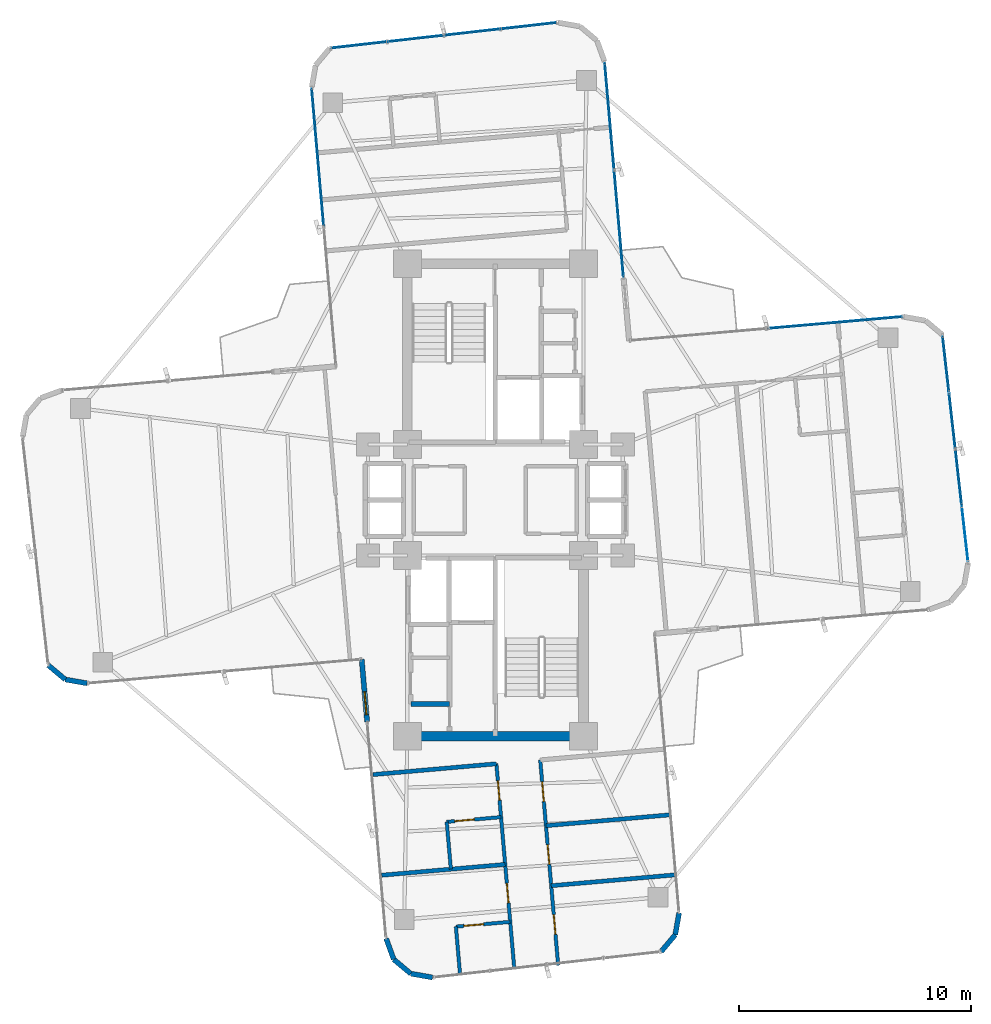
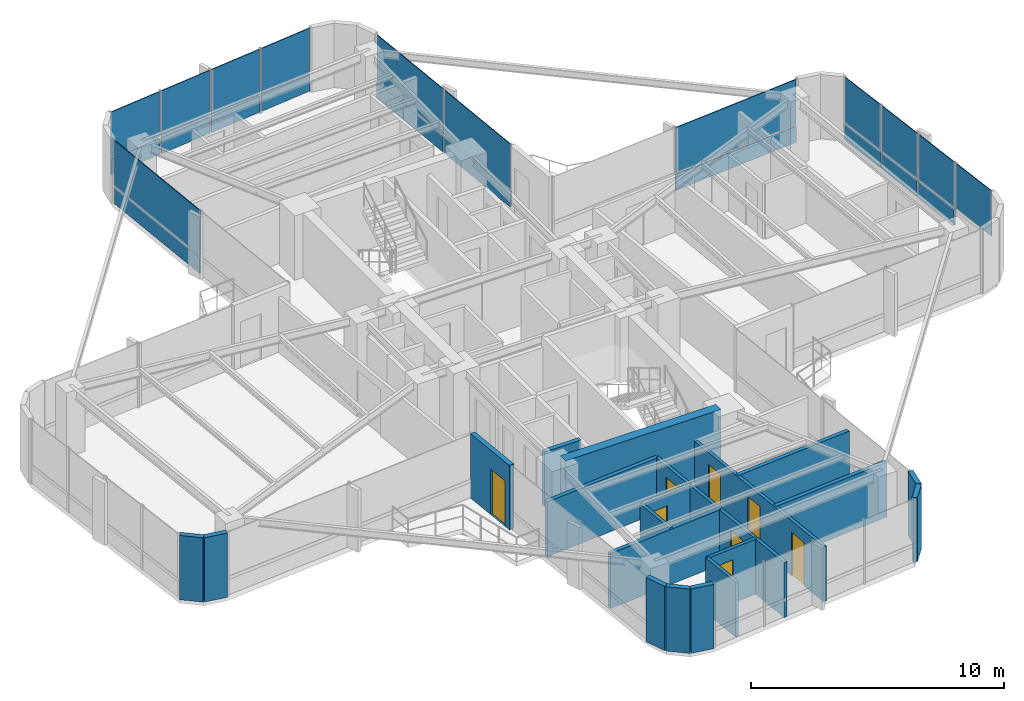
# One storey, part 20 of 24: 23 plates, 20 walls, 8 doors, 8 openings, 5 elements without a shape of their own.
"""IFC4 building model written with IfcOpenShell, lengths in metres."""

from ifc_helpers import new_model, si_unit, direction, frame, frame_2d, origin, origin_2d, place, context, subcontext, project, spatial, rectangle, extrude, source, transform, mapped, material, layer, layer_set, type_object, element, fill, aggregate, save


model = new_model("IFC4")

# Units and contexts
model_context = context("Model", 3, precision=1e-05, world=origin(), true_north=direction((0.0, 1.0)))
body_context = subcontext(model_context, "Body", "Model", "MODEL_VIEW")
ifc_project = project(units=[si_unit("LENGTHUNIT", "METRE"), si_unit("AREAUNIT", "SQUARE_METRE"), si_unit("VOLUMEUNIT", "CUBIC_METRE"), si_unit("PLANEANGLEUNIT", "RADIAN"), si_unit("MASSUNIT", "GRAM", prefix="KILO")], contexts=[model_context])

# Site, building, storey
site_placement = place(None, origin())
site = spatial("IfcSite", under=ifc_project, at=site_placement, CompositionType="ELEMENT")
building_placement = place(site_placement, origin())
building = spatial("IfcBuilding", under=site, at=building_placement, Name="Sahyath Konkavel Grand Hotel", CompositionType="ELEMENT")
storey_placement = place(building_placement, frame((0.0, 0.0, 150.60009765625)))
storey = spatial("IfcBuildingStorey", under=building, at=storey_placement, Name="L41", CompositionType="ELEMENT", Elevation=150.60009765625)

# Curtain wall, plates
ifc_material_1 = material(Name="Anodised Bronze Aluminium & Low-E Glazing", Category="aluminium")
curtain_wall_type = type_object("IfcCurtainWallType", Name="CW-ZONE3", PredefinedType="NOTDEFINED", material=ifc_material_1)
curtain_wall_1_placement = place(storey_placement, origin())
curtain_wall_1 = element("IfcCurtainWall", 1, at=curtain_wall_1_placement, inside=storey, type_object=curtain_wall_type, Name="L41 Unitised Curtain Wall F4", PredefinedType="NOTDEFINED")
ifc_material_2 = material(Name="Warm Buff Sandstone Cladding", Category="masonry")
ifc_layer_1 = layer(ifc_material_2, 0.074951171875)
ifc_layer_set_1 = layer_set([ifc_layer_1], Name="Warm Buff Sandstone Cladding")
plate_type_1 = type_object("IfcPlateType", Name="PNL-SPANDREL-STONE", PredefinedType="SHEET", material=ifc_layer_set_1)
shared_shape_1 = source(origin(), body_context, "Body", "SweptSolid", [
    extrude(rectangle(XDim=2.382080078125, YDim=0.074951171875, at=origin_2d()), origin(), (0.0, 0.0, 1.0), 0.77001953125),
])
plate_1_placement = place(storey_placement, frame((19.99755859375, 0.978515625, 0.039794921875), z_axis=(0.0, 0.0, 1.0), x_axis=(-0.111989252568, 0.993709417943, 0.0)))
plate_1 = element("IfcPlate", 2, at=plate_1_placement, type_object=plate_type_1, Name="L41 Sandstone Relief Spandrel Panel F4-1", PredefinedType="SHEET", context=body_context, shape_type="MappedRepresentation", body=[
    mapped(shared_shape_1, transform((0.0, 0.0, 0.0), scale=1.0)),
])
plate_2_placement = place(storey_placement, frame((19.7216796875, 3.425048828125, 0.039794921875), z_axis=(0.0, 0.0, 1.0), x_axis=(-0.111989252568, 0.993709417943, 0.0)))
plate_2 = element("IfcPlate", 3, at=plate_2_placement, type_object=plate_type_1, Name="L41 Sandstone Relief Spandrel Panel F4-2", PredefinedType="SHEET", context=body_context, shape_type="MappedRepresentation", body=[
    mapped(shared_shape_1, transform((0.0, 0.0, 0.0), scale=1.0)),
])
plate_3_placement = place(storey_placement, frame((19.446044921875, 5.87158203125, 0.039794921875), z_axis=(0.0, 0.0, 1.0), x_axis=(-0.111989252568, 0.993709417943, 0.0)))
plate_3 = element("IfcPlate", 4, at=plate_3_placement, type_object=plate_type_1, Name="L41 Sandstone Relief Spandrel Panel F4-3", PredefinedType="SHEET", context=body_context, shape_type="MappedRepresentation", body=[
    mapped(shared_shape_1, transform((0.0, 0.0, 0.0), scale=1.0)),
])

curtain_wall_2_placement = place(storey_placement, origin())
curtain_wall_2 = element("IfcCurtainWall", 5, at=curtain_wall_2_placement, inside=storey, type_object=curtain_wall_type, Name="L41 Unitised Curtain Wall F12", PredefinedType="NOTDEFINED")
plate_4_placement = place(storey_placement, frame((1.45068359375, 20.47265625, 0.039794921875), z_axis=(0.0, 0.0, 1.0), x_axis=(-0.993707463211, -0.112006596052, 0.0)))
plate_4 = element("IfcPlate", 6, at=plate_4_placement, type_object=plate_type_1, Name="L41 Sandstone Relief Spandrel Panel F12-0", PredefinedType="SHEET", context=body_context, shape_type="MappedRepresentation", body=[
    mapped(shared_shape_1, transform((0.0, 0.0, 0.0), scale=1.0)),
])
plate_5_placement = place(storey_placement, frame((-0.995849609375, 20.197021484375, 0.039794921875), z_axis=(0.0, 0.0, 1.0), x_axis=(-0.993707463211, -0.112006596052, 0.0)))
plate_5 = element("IfcPlate", 7, at=plate_5_placement, type_object=plate_type_1, Name="L41 Sandstone Relief Spandrel Panel F12-1", PredefinedType="SHEET", context=body_context, shape_type="MappedRepresentation", body=[
    mapped(shared_shape_1, transform((0.0, 0.0, 0.0), scale=1.0)),
])
plate_6_placement = place(storey_placement, frame((-3.4423828125, 19.921142578125, 0.039794921875), z_axis=(0.0, 0.0, 1.0), x_axis=(-0.993707463211, -0.112006596052, 0.0)))
plate_6 = element("IfcPlate", 8, at=plate_6_placement, type_object=plate_type_1, Name="L41 Sandstone Relief Spandrel Panel F12-2", PredefinedType="SHEET", context=body_context, shape_type="MappedRepresentation", body=[
    mapped(shared_shape_1, transform((0.0, 0.0, 0.0), scale=1.0)),
])
plate_7_placement = place(storey_placement, frame((-5.888916015625, 19.6455078125, 0.039794921875), z_axis=(0.0, 0.0, 1.0), x_axis=(-0.993707463211, -0.112006596052, 0.0)))
plate_7 = element("IfcPlate", 9, at=plate_7_placement, type_object=plate_type_1, Name="L41 Sandstone Relief Spandrel Panel F12-3", PredefinedType="SHEET", context=body_context, shape_type="MappedRepresentation", body=[
    mapped(shared_shape_1, transform((0.0, 0.0, 0.0), scale=1.0)),
])

# Curtain wall, plate
curtain_wall_3_placement = place(storey_placement, origin())
curtain_wall_3 = element("IfcCurtainWall", 10, at=curtain_wall_3_placement, inside=storey, type_object=curtain_wall_type, Name="L41 Unitised Curtain Wall F7", PredefinedType="NOTDEFINED")
shared_shape_2 = source(origin(), body_context, "Body", "SweptSolid", [
    extrude(rectangle(XDim=5.830078125, YDim=0.074951171875, at=origin_2d()), origin(), (0.0, 0.0, 1.0), 0.77001953125),
])
plate_8_placement = place(storey_placement, frame((14.6435546875, 7.655517578125, 0.039794921875), z_axis=(0.0, 0.0, 1.0), x_axis=(-0.996194698092, -0.087155742748, 0.0)))
plate_8 = element("IfcPlate", 11, at=plate_8_placement, type_object=plate_type_1, Name="L41 Sandstone Relief Spandrel Panel F7-0", PredefinedType="SHEET", context=body_context, shape_type="MappedRepresentation", body=[
    mapped(shared_shape_2, transform((0.0, 0.0, 0.0), scale=1.0)),
])

# Curtain wall, plates
curtain_wall_4_placement = place(storey_placement, origin())
curtain_wall_4 = element("IfcCurtainWall", 12, at=curtain_wall_4_placement, inside=storey, type_object=curtain_wall_type, Name="L41 Unitised Curtain Wall F8", PredefinedType="NOTDEFINED")
shared_shape_3 = source(origin(), body_context, "Body", "SweptSolid", [
    extrude(rectangle(XDim=4.580078125, YDim=0.074951171875, at=origin_2d()), origin(), (0.0, 0.0, 1.0), 0.77001953125),
])
plate_9_placement = place(storey_placement, frame((5.33056640625, 11.929931640625, 0.039794921875), z_axis=(0.0, 0.0, 1.0), x_axis=(-0.087155742748, 0.996194698092, 0.0)))
plate_9 = element("IfcPlate", 13, at=plate_9_placement, type_object=plate_type_1, Name="L41 Sandstone Relief Spandrel Panel F8-0", PredefinedType="SHEET", context=body_context, shape_type="MappedRepresentation", body=[
    mapped(shared_shape_3, transform((0.0, 0.0, 0.0), scale=1.0)),
])
plate_10_placement = place(storey_placement, frame((4.92431640625, 16.572265625, 0.039794921875), z_axis=(0.0, 0.0, 1.0), x_axis=(-0.087155742748, 0.996194698092, 0.0)))
plate_10 = element("IfcPlate", 14, at=plate_10_placement, type_object=plate_type_1, Name="L41 Sandstone Relief Spandrel Panel F8-1", PredefinedType="SHEET", context=body_context, shape_type="MappedRepresentation", body=[
    mapped(shared_shape_3, transform((0.0, 0.0, 0.0), scale=1.0)),
])

# Curtain wall, plate
curtain_wall_5_placement = place(storey_placement, origin())
curtain_wall_5 = element("IfcCurtainWall", 15, at=curtain_wall_5_placement, inside=storey, type_object=curtain_wall_type, Name="L41 Unitised Curtain Wall F15", PredefinedType="NOTDEFINED")
shared_shape_4 = source(origin(), body_context, "Body", "SweptSolid", [
    extrude(rectangle(XDim=5.929931640625, YDim=0.074951171875, at=origin_2d()), origin(), (0.0, 0.0, 1.0), 0.77001953125),
])
plate_11_placement = place(storey_placement, frame((-7.66845703125, 14.79296875, 0.039794921875), z_axis=(0.0, 0.0, 1.0), x_axis=(0.087155742748, -0.996194698092, 0.0)))
plate_11 = element("IfcPlate", 16, at=plate_11_placement, type_object=plate_type_1, Name="L41 Sandstone Relief Spandrel Panel F15-0", PredefinedType="SHEET", context=body_context, shape_type="MappedRepresentation", body=[
    mapped(shared_shape_4, transform((0.0, 0.0, 0.0), scale=1.0)),
])

# Plate
ifc_material_3 = material(Name="Low-E Solar Control Double Glazing", Category="glass")
ifc_layer_2 = layer(ifc_material_3, 0.035888671875)
ifc_layer_set_2 = layer_set([ifc_layer_2], Name="Low-E Solar Control Double Glazing")
plate_type_2 = type_object("IfcPlateType", Name="PNL-VISION-LOWE", PredefinedType="CURTAIN_PANEL", material=ifc_layer_set_2)
shared_shape_5 = source(origin(), body_context, "Body", "SweptSolid", [
    extrude(rectangle(XDim=2.382080078125, YDim=0.035888671875, at=origin_2d()), origin(), (0.0, 0.0, 1.0), 2.179931640625),
])
plate_12_placement = place(storey_placement, frame((20.2734375, -1.468017578125, 0.89013671875), z_axis=(0.0, 0.0, 1.0), x_axis=(-0.111989252568, 0.993709417943, 0.0)))
plate_12 = element("IfcPlate", 17, at=plate_12_placement, type_object=plate_type_2, Name="L41 Low-E Vision Glazing Panel F4-0", PredefinedType="CURTAIN_PANEL", context=body_context, shape_type="MappedRepresentation", body=[
    mapped(shared_shape_5, transform((0.0, 0.0, 0.0), scale=1.0)),
])

plate_13_placement = place(storey_placement, frame((19.99755859375, 0.978515625, 0.89013671875), z_axis=(0.0, 0.0, 1.0), x_axis=(-0.111989252568, 0.993709417943, 0.0)))
plate_13 = element("IfcPlate", 18, at=plate_13_placement, type_object=plate_type_2, Name="L41 Low-E Vision Glazing Panel F4-1", PredefinedType="CURTAIN_PANEL", context=body_context, shape_type="MappedRepresentation", body=[
    mapped(shared_shape_5, transform((0.0, 0.0, 0.0), scale=1.0)),
])

plate_14_placement = place(storey_placement, frame((19.7216796875, 3.425048828125, 0.89013671875), z_axis=(0.0, 0.0, 1.0), x_axis=(-0.111989252568, 0.993709417943, 0.0)))
plate_14 = element("IfcPlate", 19, at=plate_14_placement, type_object=plate_type_2, Name="L41 Low-E Vision Glazing Panel F4-2", PredefinedType="CURTAIN_PANEL", context=body_context, shape_type="MappedRepresentation", body=[
    mapped(shared_shape_5, transform((0.0, 0.0, 0.0), scale=1.0)),
])

plate_15_placement = place(storey_placement, frame((19.446044921875, 5.87158203125, 0.89013671875), z_axis=(0.0, 0.0, 1.0), x_axis=(-0.111989252568, 0.993709417943, 0.0)))
plate_15 = element("IfcPlate", 20, at=plate_15_placement, type_object=plate_type_2, Name="L41 Low-E Vision Glazing Panel F4-3", PredefinedType="CURTAIN_PANEL", context=body_context, shape_type="MappedRepresentation", body=[
    mapped(shared_shape_5, transform((0.0, 0.0, 0.0), scale=1.0)),
])

aggregate(curtain_wall_1, [plate_12, plate_1, plate_13, plate_2, plate_14, plate_3, plate_15])

plate_16_placement = place(storey_placement, frame((1.45068359375, 20.47265625, 0.89013671875), z_axis=(0.0, 0.0, 1.0), x_axis=(-0.993707463211, -0.112006596052, 0.0)))
plate_16 = element("IfcPlate", 21, at=plate_16_placement, type_object=plate_type_2, Name="L41 Low-E Vision Glazing Panel F12-0", PredefinedType="CURTAIN_PANEL", context=body_context, shape_type="MappedRepresentation", body=[
    mapped(shared_shape_5, transform((0.0, 0.0, 0.0), scale=1.0)),
])

plate_17_placement = place(storey_placement, frame((-0.995849609375, 20.197021484375, 0.89013671875), z_axis=(0.0, 0.0, 1.0), x_axis=(-0.993707463211, -0.112006596052, 0.0)))
plate_17 = element("IfcPlate", 22, at=plate_17_placement, type_object=plate_type_2, Name="L41 Low-E Vision Glazing Panel F12-1", PredefinedType="CURTAIN_PANEL", context=body_context, shape_type="MappedRepresentation", body=[
    mapped(shared_shape_5, transform((0.0, 0.0, 0.0), scale=1.0)),
])

plate_18_placement = place(storey_placement, frame((-3.4423828125, 19.921142578125, 0.89013671875), z_axis=(0.0, 0.0, 1.0), x_axis=(-0.993707463211, -0.112006596052, 0.0)))
plate_18 = element("IfcPlate", 23, at=plate_18_placement, type_object=plate_type_2, Name="L41 Low-E Vision Glazing Panel F12-2", PredefinedType="CURTAIN_PANEL", context=body_context, shape_type="MappedRepresentation", body=[
    mapped(shared_shape_5, transform((0.0, 0.0, 0.0), scale=1.0)),
])

plate_19_placement = place(storey_placement, frame((-5.888916015625, 19.6455078125, 0.89013671875), z_axis=(0.0, 0.0, 1.0), x_axis=(-0.993707463211, -0.112006596052, 0.0)))
plate_19 = element("IfcPlate", 24, at=plate_19_placement, type_object=plate_type_2, Name="L41 Low-E Vision Glazing Panel F12-3", PredefinedType="CURTAIN_PANEL", context=body_context, shape_type="MappedRepresentation", body=[
    mapped(shared_shape_5, transform((0.0, 0.0, 0.0), scale=1.0)),
])

aggregate(curtain_wall_2, [plate_4, plate_16, plate_5, plate_17, plate_6, plate_18, plate_7, plate_19])

shared_shape_6 = source(origin(), body_context, "Body", "SweptSolid", [
    extrude(rectangle(XDim=5.830078125, YDim=0.035888671875, at=origin_2d()), origin(), (0.0, 0.0, 1.0), 2.179931640625),
])
plate_20_placement = place(storey_placement, frame((14.6435546875, 7.655517578125, 0.89013671875), z_axis=(0.0, 0.0, 1.0), x_axis=(-0.996194698092, -0.087155742748, 0.0)))
plate_20 = element("IfcPlate", 25, at=plate_20_placement, type_object=plate_type_2, Name="L41 Low-E Vision Glazing Panel F7-0", PredefinedType="CURTAIN_PANEL", context=body_context, shape_type="MappedRepresentation", body=[
    mapped(shared_shape_6, transform((0.0, 0.0, 0.0), scale=1.0)),
])

aggregate(curtain_wall_3, [plate_8, plate_20])

shared_shape_7 = source(origin(), body_context, "Body", "SweptSolid", [
    extrude(rectangle(XDim=4.580078125, YDim=0.035888671875, at=origin_2d()), origin(), (0.0, 0.0, 1.0), 2.179931640625),
])
plate_21_placement = place(storey_placement, frame((5.33056640625, 11.929931640625, 0.89013671875), z_axis=(0.0, 0.0, 1.0), x_axis=(-0.087155742748, 0.996194698092, 0.0)))
plate_21 = element("IfcPlate", 26, at=plate_21_placement, type_object=plate_type_2, Name="L41 Low-E Vision Glazing Panel F8-0", PredefinedType="CURTAIN_PANEL", context=body_context, shape_type="MappedRepresentation", body=[
    mapped(shared_shape_7, transform((0.0, 0.0, 0.0), scale=1.0)),
])

plate_22_placement = place(storey_placement, frame((4.92431640625, 16.572265625, 0.89013671875), z_axis=(0.0, 0.0, 1.0), x_axis=(-0.087155742748, 0.996194698092, 0.0)))
plate_22 = element("IfcPlate", 27, at=plate_22_placement, type_object=plate_type_2, Name="L41 Low-E Vision Glazing Panel F8-1", PredefinedType="CURTAIN_PANEL", context=body_context, shape_type="MappedRepresentation", body=[
    mapped(shared_shape_7, transform((0.0, 0.0, 0.0), scale=1.0)),
])

aggregate(curtain_wall_4, [plate_9, plate_21, plate_10, plate_22])

shared_shape_8 = source(origin(), body_context, "Body", "SweptSolid", [
    extrude(rectangle(XDim=5.929931640625, YDim=0.035888671875, at=origin_2d()), origin(), (0.0, 0.0, 1.0), 2.179931640625),
])
plate_23_placement = place(storey_placement, frame((-7.66845703125, 14.79296875, 0.89013671875), z_axis=(0.0, 0.0, 1.0), x_axis=(0.087155742748, -0.996194698092, 0.0)))
plate_23 = element("IfcPlate", 28, at=plate_23_placement, type_object=plate_type_2, Name="L41 Low-E Vision Glazing Panel F15-0", PredefinedType="CURTAIN_PANEL", context=body_context, shape_type="MappedRepresentation", body=[
    mapped(shared_shape_8, transform((0.0, 0.0, 0.0), scale=1.0)),
])

aggregate(curtain_wall_5, [plate_11, plate_23])

# Walls
ifc_material_4 = material(Name="Concrete C50/60", Category="concrete")
ifc_layer_3 = layer(ifc_material_4, 0.419921875)
ifc_layer_set_3 = layer_set([ifc_layer_3], Name="Concrete C50/60")
wall_type_1 = type_object("IfcWallType", Name="CWALL-420", PredefinedType="SHEAR", material=ifc_layer_set_3)
wall_1_placement = place(storey_placement, frame((-3.550048828125, -10.199951171875, 0.0), z_axis=(0.0, 0.0, 1.0), x_axis=(1.0, 0.0, 0.0)))
element("IfcWall", 29, at=wall_1_placement, inside=storey, type_object=wall_type_1, Name="L41 South Core Shear Wall S", PredefinedType="SHEAR", context=body_context, shape_type="SweptSolid", body=[
    extrude(rectangle(XDim=7.10009765625, YDim=0.419921875, at=frame_2d((3.550048828125, 0.0))), origin(), (0.0, 0.0, 1.0), 3.10986328125),
])
ifc_material_5 = material(Name="Warm Buff Sandstone Insulated Concrete C40/50", Category="masonry")
ifc_layer_4 = layer(ifc_material_5, 0.219970703125)
ifc_layer_set_4 = layer_set([ifc_layer_4], Name="Warm Buff Sandstone Insulated Concrete C40/50")
wall_type_2 = type_object("IfcWallType", Name="WLL-BALC-THRESH", PredefinedType="STANDARD", material=ifc_layer_set_4)
wall_2_placement = place(storey_placement, frame((-19.3037109375, -7.134521484375, 0.0), z_axis=(0.0, 0.0, 1.0), x_axis=(0.766001159887, -0.642839189107, 0.0)))
element("IfcWall", 30, at=wall_2_placement, inside=storey, type_object=wall_type_2, Name="L41 Rounded Corner Sandstone Pier 21", PredefinedType="STANDARD", context=body_context, shape_type="SweptSolid", body=[
    extrude(rectangle(XDim=0.95751953125, YDim=0.219970703125, at=frame_2d((0.478759765625, 0.0))), origin(), (0.0, 0.0, 1.0), 3.10986328125),
])
wall_3_placement = place(storey_placement, frame((-18.5703125, -7.75, 0.0), z_axis=(0.0, 0.0, 1.0), x_axis=(0.984770724397, -0.173858046606, 0.0)))
element("IfcWall", 31, at=wall_3_placement, inside=storey, type_object=wall_type_2, Name="L41 Rounded Corner Sandstone Pier 22", PredefinedType="STANDARD", context=body_context, shape_type="SweptSolid", body=[
    extrude(rectangle(XDim=0.957763671875, YDim=0.219970703125, at=frame_2d((0.47900390625, 0.0))), origin(), (0.0, 0.0, 1.0), 3.10986328125),
])

# Wall, opening, door
wall_4_placement = place(storey_placement, frame((-5.7724609375, -6.87939453125, 0.0), z_axis=(0.0, 0.0, 1.0), x_axis=(0.087168071984, -0.996193619346, 0.0)))
wall_4 = element("IfcWall", 32, at=wall_4_placement, inside=storey, type_object=wall_type_2, Name="L41 Winter-Garden Threshold Wall 24", PredefinedType="STANDARD", context=body_context, shape_type="SweptSolid", body=[
    extrude(rectangle(XDim=2.699951171875, YDim=0.219970703125, at=frame_2d((1.35009765625, 0.0))), origin(), (0.0, 0.0, 1.0), 3.10986328125),
])
opening_1_placement = place(wall_4_placement, frame((1.39990234375, 0.0, 0.0)))
opening_1 = element("IfcOpeningElement", 33, at=opening_1_placement, cuts=wall_4, Name="Opening D-TR1", PredefinedType="OPENING", context=body_context, shape_type="SweptSolid", body=[
    extrude(rectangle(XDim=1.0, YDim=2.199951171875, at=frame_2d((0.5, 1.10009765625))), frame((0.0, 0.1201171875, 0.0), z_axis=(0.0, -1.0, 0.0), x_axis=(1.0, 0.0, 0.0)), (0.0, 0.0, 1.0), 0.239990234375),
])
door_type_1 = type_object("IfcDoorType", Name="DR-TERRACE-1000", OperationType="NOTDEFINED", PredefinedType="DOOR", material=ifc_material_1)
shared_shape_9 = source(origin(), body_context, "Body", "SweptSolid", [
    extrude(rectangle(XDim=1.0, YDim=0.050048828125, at=origin_2d()), origin(), (0.0, 0.0, 1.0), 2.199951171875),
])
door_1_placement = place(opening_1_placement, frame((0.5, 0.0, 0.0)))
door_1 = element("IfcDoor", 34, at=door_1_placement, inside=storey, type_object=door_type_1, Name="L41 Winter-Garden Terrace Door 24", OperationType="SINGLE_SWING_LEFT", OverallHeight=2.199951171875, OverallWidth=1.0, PredefinedType="DOOR", context=body_context, shape_type="MappedRepresentation", body=[
    mapped(shared_shape_9, transform((0.0, 0.0, 0.0), scale=1.0)),
])
fill(opening_1, door_1)

# Walls
wall_5_placement = place(storey_placement, frame((-4.7177734375, -18.93310546875, 0.0), z_axis=(0.0, 0.0, 1.0), x_axis=(0.34188635151, -0.939741306239, 0.0)))
element("IfcWall", 35, at=wall_5_placement, inside=storey, type_object=wall_type_2, Name="L41 Rounded Corner Sandstone Pier 25", PredefinedType="STANDARD", context=body_context, shape_type="SweptSolid", body=[
    extrude(rectangle(XDim=0.95751953125, YDim=0.219970703125, at=frame_2d((0.478759765625, 0.0))), origin(), (0.0, 0.0, 1.0), 3.10986328125),
])
for number, where, z_axis, x_axis, name in (
    (36, (-4.390380859375, -19.8330078125, 0.0), (0.0, 0.0, 1.0), (0.765980978054, -0.642863236823, 0.0), "L41 Rounded Corner Sandstone Pier 26"),
    (37, (-3.65673828125, -20.44873046875, 0.0), (0.0, 0.0, 1.0), (0.984814340885, -0.173610811841, 0.0), "L41 Rounded Corner Sandstone Pier 27"),
):
    element("IfcWall", number, at=place(storey_placement, frame(where, z_axis=z_axis, x_axis=x_axis)), inside=storey, type_object=wall_type_2, Name=name, PredefinedType="STANDARD", context=body_context, shape_type="SweptSolid", body=[
        extrude(rectangle(XDim=0.957763671875, YDim=0.219970703125, at=frame_2d((0.47900390625, 0.0))), origin(), (0.0, 0.0, 1.0), 3.10986328125),
    ])
for number, where, z_axis, x_axis, name in (
    (38, (7.152099609375, -19.5029296875, 0.0), (0.0, 0.0, 1.0), (0.642713642115, 0.766106503196, 0.0), "L41 Rounded Corner Sandstone Pier 29"),
    (39, (7.767578125, -18.769287109375, 0.0), (0.0, 0.0, 1.0), (0.173654409999, 0.984806654064, 0.0), "L41 Rounded Corner Sandstone Pier 30"),
):
    element("IfcWall", number, at=place(storey_placement, frame(where, z_axis=z_axis, x_axis=x_axis)), inside=storey, type_object=wall_type_2, Name=name, PredefinedType="STANDARD", context=body_context, shape_type="SweptSolid", body=[
        extrude(rectangle(XDim=0.95751953125, YDim=0.219970703125, at=frame_2d((0.478759765625, 0.0))), origin(), (0.0, 0.0, 1.0), 3.10986328125),
    ])
ifc_material_6 = material(Name="Concrete C40/50", Category="concrete")
ifc_layer_5 = layer(ifc_material_6, 0.199951171875)
ifc_layer_set_5 = layer_set([ifc_layer_5], Name="Concrete C40/50")
wall_type_3 = type_object("IfcWallType", Name="WLL-CORE-200", PredefinedType="SOLIDWALL", material=ifc_layer_set_5)
wall_6_placement = place(storey_placement, frame((-3.64990234375, -8.81005859375, 0.0), z_axis=(0.0, 0.0, 1.0), x_axis=(1.0, 0.0, 0.0)))
element("IfcWall", 40, at=wall_6_placement, inside=storey, type_object=wall_type_3, Name="L41 Partition SC-REC-S", PredefinedType="SOLIDWALL", context=body_context, shape_type="SweptSolid", body=[
    extrude(rectangle(XDim=1.669921875, YDim=0.199951171875, at=frame_2d((0.8349609375, 0.0))), origin(), (0.0, 0.0, 1.0), 2.659912109375),
])
ifc_material_7 = material(Name="Twin-Stud Acoustic Gypsum Plasterboard Partition")
ifc_layer_6 = layer(ifc_material_7, 0.179931640625)
ifc_layer_set_6 = layer_set([ifc_layer_6], Name="Twin-Stud Acoustic Gypsum Plasterboard Partition")
wall_type_4 = type_object("IfcWallType", Name="WLL-DEMISE-180", PredefinedType="PARTITIONING", material=ifc_layer_set_6)
for number, where, z_axis, x_axis, name in (
    (41, (-5.286865234375, -11.85595703125, 0.0), (0.0, 0.0, 1.0), (0.996194212812, 0.087161289348, 0.0), "L41 Partition S-INR"),
    (42, (2.183837890625, -14.061279296875, 0.0), (0.0, 0.0, 1.0), (0.996194212812, 0.087161289348, 0.0), "L41 Partition S-S1L-DEM"),
    (43, (2.41064453125, -16.6533203125, 0.0), (0.0, 0.0, 1.0), (0.996194212812, 0.087161289348, 0.0), "L41 Partition S-S2L-DEM"),
    (44, (0.4228515625, -15.73388671875, 0.0), (0.0, 0.0, 1.0), (-0.996194212812, -0.087161289348, 0.0), "L41 Partition S-S1R-DEM"),
):
    element("IfcWall", number, at=place(storey_placement, frame(where, z_axis=z_axis, x_axis=x_axis)), inside=storey, type_object=wall_type_4, Name=name, PredefinedType="PARTITIONING", context=body_context, shape_type="SweptSolid", body=[
        extrude(rectangle(XDim=5.349853515625, YDim=0.179931640625, at=frame_2d((2.6748046875, 0.0))), origin(), (0.0, 0.0, 1.0), 2.659912109375),
    ])

# Wall, openings, doors
ifc_material_8 = material(Name="Fire-Rated Gypsum Plasterboard Partition")
ifc_layer_7 = layer(ifc_material_8, 0.14990234375)
ifc_layer_set_7 = layer_set([ifc_layer_7], Name="Fire-Rated Gypsum Plasterboard Partition")
wall_type_5 = type_object("IfcWallType", Name="WLL-PART-150", PredefinedType="PARTITIONING", material=ifc_layer_set_7)
wall_7_placement = place(storey_placement, frame((1.935546875, -11.22412109375, 0.0), z_axis=(0.0, 0.0, 1.0), x_axis=(0.087151636982, -0.996195057291, 0.0)))
wall_7 = element("IfcWall", 45, at=wall_7_placement, inside=storey, type_object=wall_type_5, Name="L41 Partition S-CL", PredefinedType="PARTITIONING", context=body_context, shape_type="SweptSolid", body=[
    extrude(rectangle(XDim=8.89990234375, YDim=0.14990234375, at=frame_2d((4.449951171875, 0.0))), origin(), (0.0, 0.0, 1.0), 2.659912109375),
])
opening_2_placement = place(wall_7_placement, frame((0.948974609375, 0.0, 0.0)))
opening_2 = element("IfcOpeningElement", 46, at=opening_2_placement, cuts=wall_7, Name="Opening D-F06D", PredefinedType="OPENING", context=body_context, shape_type="SweptSolid", body=[
    extrude(rectangle(XDim=0.85009765625, YDim=2.10009765625, at=frame_2d((0.425048828125, 1.050048828125))), frame((0.0, 0.0849609375, 0.0), z_axis=(0.0, -1.0, 0.0), x_axis=(1.0, 0.0, 0.0)), (0.0, 0.0, 1.0), 0.169921875),
])
opening_3_placement = place(wall_7_placement, frame((3.674072265625, 0.0, 0.0)))
opening_3 = element("IfcOpeningElement", 47, at=opening_3_placement, cuts=wall_7, Name="Opening D-F06D", PredefinedType="OPENING", context=body_context, shape_type="SweptSolid", body=[
    extrude(rectangle(XDim=0.85009765625, YDim=2.10009765625, at=frame_2d((0.425048828125, 1.050048828125))), frame((0.0, 0.0849609375, 0.0), z_axis=(0.0, -1.0, 0.0), x_axis=(1.0, 0.0, 0.0)), (0.0, 0.0, 1.0), 0.169921875),
])
opening_4_placement = place(wall_7_placement, frame((6.699951171875, 0.0, 0.0)))
opening_4 = element("IfcOpeningElement", 48, at=opening_4_placement, cuts=wall_7, Name="Opening D-F06D", PredefinedType="OPENING", context=body_context, shape_type="SweptSolid", body=[
    extrude(rectangle(XDim=0.85009765625, YDim=2.10009765625, at=frame_2d((0.425048828125, 1.050048828125))), frame((0.0, 0.0849609375, 0.0), z_axis=(0.0, -1.0, 0.0), x_axis=(1.0, 0.0, 0.0)), (0.0, 0.0, 1.0), 0.169921875),
])
ifc_material_9 = material(Name="Fire-Rated Shaft Access Door")
door_type_2 = type_object("IfcDoorType", Name="DR-FD60-850", OperationType="NOTDEFINED", PredefinedType="DOOR", material=ifc_material_9)
shared_shape_10 = source(origin(), body_context, "Body", "SweptSolid", [
    extrude(rectangle(XDim=0.85009765625, YDim=0.050048828125, at=origin_2d()), origin(), (0.0, 0.0, 1.0), 2.10009765625),
])
door_2_placement = place(opening_2_placement, frame((0.425048828125, 0.0, 0.0)))
door_2 = element("IfcDoor", 49, at=door_2_placement, inside=storey, type_object=door_type_2, Name="L41 Door S-S1L-D", OperationType="SINGLE_SWING_RIGHT", OverallHeight=2.10009765625, OverallWidth=0.85009765625, PredefinedType="DOOR", context=body_context, shape_type="MappedRepresentation", body=[
    mapped(shared_shape_10, transform((0.0, 0.0, 0.0), scale=1.0)),
])
fill(opening_2, door_2)
door_3_placement = place(opening_3_placement, frame((0.425048828125, 0.0, 0.0)))
door_3 = element("IfcDoor", 50, at=door_3_placement, inside=storey, type_object=door_type_2, Name="L41 Door S-S2L-D", OperationType="SINGLE_SWING_LEFT", OverallHeight=2.10009765625, OverallWidth=0.85009765625, PredefinedType="DOOR", context=body_context, shape_type="MappedRepresentation", body=[
    mapped(shared_shape_10, transform((0.0, 0.0, 0.0), scale=1.0)),
])
fill(opening_3, door_3)
door_4_placement = place(opening_4_placement, frame((0.425048828125, 0.0, 0.0)))
door_4 = element("IfcDoor", 51, at=door_4_placement, inside=storey, type_object=door_type_2, Name="L41 Door S-S3L-D", OperationType="SINGLE_SWING_RIGHT", OverallHeight=2.10009765625, OverallWidth=0.85009765625, PredefinedType="DOOR", context=body_context, shape_type="MappedRepresentation", body=[
    mapped(shared_shape_10, transform((0.0, 0.0, 0.0), scale=1.0)),
])
fill(opening_4, door_4)

wall_8_placement = place(storey_placement, frame((0.042724609375, -11.3896484375, 0.0), z_axis=(0.0, 0.0, 1.0), x_axis=(0.087178860582, -0.996192675273, 0.0)))
wall_8 = element("IfcWall", 52, at=wall_8_placement, inside=storey, type_object=wall_type_5, Name="L41 Partition S-CR", PredefinedType="PARTITIONING", context=body_context, shape_type="SweptSolid", body=[
    extrude(rectangle(XDim=8.89990234375, YDim=0.14990234375, at=frame_2d((4.449951171875, 0.0))), origin(), (0.0, 0.0, 1.0), 2.659912109375),
])
opening_5_placement = place(wall_8_placement, frame((0.72998046875, 0.0, 0.0)))
opening_5 = element("IfcOpeningElement", 53, at=opening_5_placement, cuts=wall_8, Name="Opening D-F06D", PredefinedType="OPENING", context=body_context, shape_type="SweptSolid", body=[
    extrude(rectangle(XDim=0.85009765625, YDim=2.10009765625, at=frame_2d((0.425048828125, 1.050048828125))), frame((0.0, 0.0849609375, 0.0), z_axis=(0.0, -1.0, 0.0), x_axis=(1.0, 0.0, 0.0)), (0.0, 0.0, 1.0), 0.169921875),
])
opening_6_placement = place(wall_8_placement, frame((5.180908203125, 0.0, 0.0)))
opening_6 = element("IfcOpeningElement", 54, at=opening_6_placement, cuts=wall_8, Name="Opening D-F06D", PredefinedType="OPENING", context=body_context, shape_type="SweptSolid", body=[
    extrude(rectangle(XDim=0.85009765625, YDim=2.10009765625, at=frame_2d((0.425048828125, 1.050048828125))), frame((0.0, 0.0849609375, 0.0), z_axis=(0.0, -1.0, 0.0), x_axis=(1.0, 0.0, 0.0)), (0.0, 0.0, 1.0), 0.169921875),
])
door_5_placement = place(opening_5_placement, frame((0.425048828125, 0.0, 0.0)))
door_5 = element("IfcDoor", 55, at=door_5_placement, inside=storey, type_object=door_type_2, Name="L41 Door S-S1R-ED", OperationType="SINGLE_SWING_RIGHT", OverallHeight=2.10009765625, OverallWidth=0.85009765625, PredefinedType="DOOR", context=body_context, shape_type="MappedRepresentation", body=[
    mapped(shared_shape_10, transform((0.0, 0.0, 0.0), scale=1.0)),
])
fill(opening_5, door_5)
door_6_placement = place(opening_6_placement, frame((0.425048828125, 0.0, 0.0)))
door_6 = element("IfcDoor", 56, at=door_6_placement, inside=storey, type_object=door_type_2, Name="L41 Door S-S2R-ED", OperationType="SINGLE_SWING_RIGHT", OverallHeight=2.10009765625, OverallWidth=0.85009765625, PredefinedType="DOOR", context=body_context, shape_type="MappedRepresentation", body=[
    mapped(shared_shape_10, transform((0.0, 0.0, 0.0), scale=1.0)),
])
fill(opening_6, door_6)

# Wall, opening, door
wall_9_placement = place(storey_placement, frame((0.244140625, -13.69189453125, 0.0), z_axis=(0.0, 0.0, 1.0), x_axis=(-0.996197656711, -0.087121918963, 0.0)))
wall_9 = element("IfcWall", 57, at=wall_9_placement, inside=storey, type_object=wall_type_5, Name="L41 Partition S-S1R-BS", PredefinedType="PARTITIONING", context=body_context, shape_type="SweptSolid", body=[
    extrude(rectangle(XDim=2.35400390625, YDim=0.14990234375, at=frame_2d((1.177001953125, 0.0))), origin(), (0.0, 0.0, 1.0), 2.659912109375),
])
opening_7_placement = place(wall_9_placement, frame((1.154052734375, 0.0, 0.0)))
opening_7 = element("IfcOpeningElement", 58, at=opening_7_placement, cuts=wall_9, Name="Opening D-BT85", PredefinedType="OPENING", context=body_context, shape_type="SweptSolid", body=[
    extrude(rectangle(XDim=0.85009765625, YDim=2.10009765625, at=frame_2d((0.425048828125, 1.050048828125))), frame((0.0, 0.0849609375, 0.0), z_axis=(0.0, -1.0, 0.0), x_axis=(1.0, 0.0, 0.0)), (0.0, 0.0, 1.0), 0.169921875),
])
ifc_material_10 = material(Name="Moisture-Resistant Teak Bathroom Door")
door_type_3 = type_object("IfcDoorType", Name="DR-BATH-850", OperationType="NOTDEFINED", PredefinedType="DOOR", material=ifc_material_10)
door_7_placement = place(opening_7_placement, frame((0.425048828125, 0.0, 0.0)))
door_7 = element("IfcDoor", 59, at=door_7_placement, inside=storey, type_object=door_type_3, Name="L41 Door S-S1R-BD", OperationType="SINGLE_SWING_LEFT", OverallHeight=2.10009765625, OverallWidth=0.85009765625, PredefinedType="DOOR", context=body_context, shape_type="MappedRepresentation", body=[
    mapped(shared_shape_10, transform((0.0, 0.0, 0.0), scale=1.0)),
])
fill(opening_7, door_7)

# Wall
wall_10_placement = place(storey_placement, frame((-2.100830078125, -13.89697265625, 0.0), z_axis=(0.0, 0.0, 1.0), x_axis=(0.087174336889, -0.99619307114, 0.0)))
element("IfcWall", 60, at=wall_10_placement, inside=storey, type_object=wall_type_5, Name="L41 Partition S-S1R-BF", PredefinedType="PARTITIONING", context=body_context, shape_type="SweptSolid", body=[
    extrude(rectangle(XDim=2.050048828125, YDim=0.14990234375, at=frame_2d((1.02490234375, 0.0))), origin(), (0.0, 0.0, 1.0), 2.659912109375),
])

# Wall, opening, door
wall_11_placement = place(storey_placement, frame((0.639892578125, -18.21337890625, 0.0), z_axis=(0.0, 0.0, 1.0), x_axis=(-0.996188649846, -0.087224846905, 0.0)))
wall_11 = element("IfcWall", 61, at=wall_11_placement, inside=storey, type_object=wall_type_5, Name="L41 Partition S-S2R-BS", PredefinedType="PARTITIONING", context=body_context, shape_type="SweptSolid", body=[
    extrude(rectangle(XDim=2.35400390625, YDim=0.14990234375, at=frame_2d((1.177001953125, 0.0))), origin(), (0.0, 0.0, 1.0), 2.659912109375),
])
opening_8_placement = place(wall_11_placement, frame((1.154052734375, 0.0, 0.0)))
opening_8 = element("IfcOpeningElement", 62, at=opening_8_placement, cuts=wall_11, Name="Opening D-BT85", PredefinedType="OPENING", context=body_context, shape_type="SweptSolid", body=[
    extrude(rectangle(XDim=0.85009765625, YDim=2.10009765625, at=frame_2d((0.425048828125, 1.050048828125))), frame((0.0, 0.0849609375, 0.0), z_axis=(0.0, -1.0, 0.0), x_axis=(1.0, 0.0, 0.0)), (0.0, 0.0, 1.0), 0.169921875),
])
door_8_placement = place(opening_8_placement, frame((0.425048828125, 0.0, 0.0)))
door_8 = element("IfcDoor", 63, at=door_8_placement, inside=storey, type_object=door_type_3, Name="L41 Door S-S2R-BD", OperationType="SINGLE_SWING_LEFT", OverallHeight=2.10009765625, OverallWidth=0.85009765625, PredefinedType="DOOR", context=body_context, shape_type="MappedRepresentation", body=[
    mapped(shared_shape_10, transform((0.0, 0.0, 0.0), scale=1.0)),
])
fill(opening_8, door_8)

# Wall
wall_12_placement = place(storey_placement, frame((-1.705078125, -18.418701171875, 0.0), z_axis=(0.0, 0.0, 1.0), x_axis=(0.087056149438, -0.996203406361, 0.0)))
element("IfcWall", 64, at=wall_12_placement, inside=storey, type_object=wall_type_5, Name="L41 Partition S-S2R-BF", PredefinedType="PARTITIONING", context=body_context, shape_type="SweptSolid", body=[
    extrude(rectangle(XDim=2.050048828125, YDim=0.14990234375, at=frame_2d((1.02490234375, 0.0))), origin(), (0.0, 0.0, 1.0), 2.659912109375),
])

save(model, "model.ifc")
